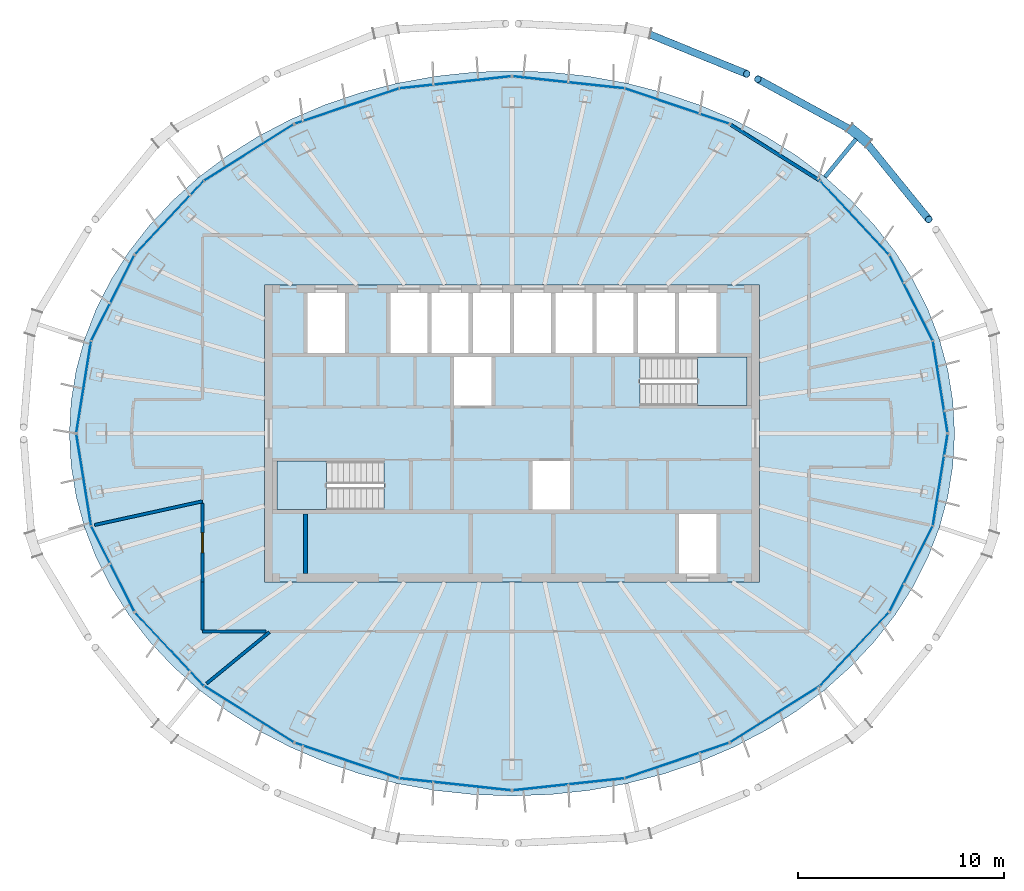
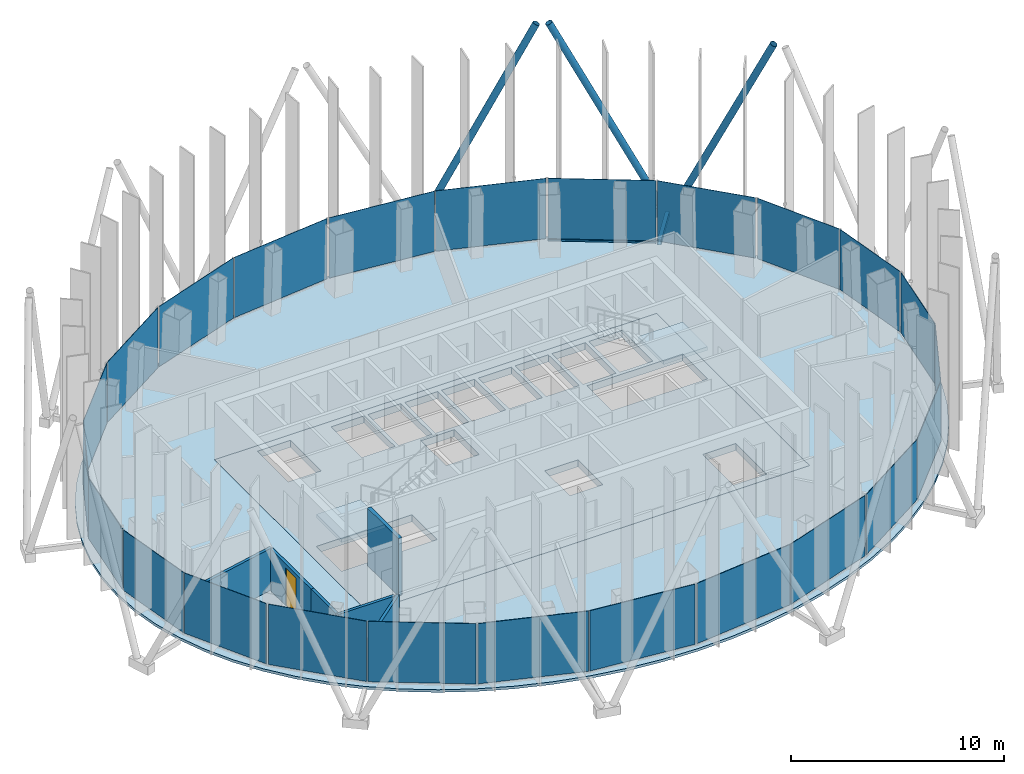
# One storey, part 8 of 19: 24 plates, 6 members, 6 walls, 4 slabs, 1 door, 1 opening, 14 elements without a shape of their own.
"""IFC4 building model written with IfcOpenShell, lengths in metres."""

from ifc_helpers import new_model, si_unit, direction, frame, frame_2d, origin, origin_2d, place, context, subcontext, project, spatial, polyline, rectangle, hollow_rectangle, hollow_circle, outline, extrude, material, layer, layer_set, material_profile, profile_set, type_object, element, fill, aggregate, save


model = new_model("IFC4")

# Units and contexts
model_context = context("Model", 3, precision=1e-05, world=origin(), true_north=direction((0.0, 1.0)))
body_context = subcontext(model_context, "Body", "Model", "MODEL_VIEW")
ifc_project = project(units=[si_unit("LENGTHUNIT", "METRE"), si_unit("AREAUNIT", "SQUARE_METRE"), si_unit("VOLUMEUNIT", "CUBIC_METRE"), si_unit("PLANEANGLEUNIT", "RADIAN"), si_unit("MASSUNIT", "GRAM", prefix="KILO")], contexts=[model_context])

# Site, building, storey
site_placement = place(None, origin())
site = spatial("IfcSite", under=ifc_project, at=site_placement, CompositionType="ELEMENT")
building_placement = place(site_placement, origin())
building = spatial("IfcBuilding", under=site, at=building_placement, Name="Siaravel Broadcast Tower", CompositionType="ELEMENT")
storey_placement = place(building_placement, frame((0.0, 0.0, 239.300048828125)))
storey = spatial("IfcBuildingStorey", under=building, at=storey_placement, Name="L58", CompositionType="ELEMENT", Elevation=239.300048828125)

# Curtain wall, member
ifc_material_1 = material(Name="Aluminium 6063-T6", Category="aluminium")
ifc_layer_1 = layer(ifc_material_1, 0.159912109375)
ifc_layer_set_1 = layer_set([ifc_layer_1], Name="Aluminium 6063-T6")
curtain_wall_type = type_object("IfcCurtainWallType", Name="Unitised curtain wall, zone 4", PredefinedType="NOTDEFINED", material=ifc_layer_set_1)
curtain_wall_1_placement = place(storey_placement, origin())
curtain_wall_1 = element("IfcCurtainWall", 1, at=curtain_wall_1_placement, inside=storey, type_object=curtain_wall_type, Name="L58 Unitised curtain wall, zone 4 02", PredefinedType="NOTDEFINED")
ifc_material_profile_1 = material_profile(ifc_material_1, rectangle(XDim=0.159912109375, YDim=0.090087890625, at=origin_2d()))
ifc_profile_set_1 = profile_set([ifc_material_profile_1], Name="Aluminium 6063-T6")
member_type_1 = type_object("IfcMemberType", Name="CW-Z4 transom", PredefinedType="USERDEFINED", material=ifc_profile_set_1)
member_1_placement = place(storey_placement, frame((14.905517578125, 12.255859375, 0.044921875), z_axis=(-0.84666808, 0.532121379, 0.0), x_axis=(-0.532121379, -0.84666808, 0.0)))
member_1 = element("IfcMember", 2, at=member_1_placement, type_object=member_type_1, Name="CW-Z4 transom 2", ObjectType="TRANSOM", PredefinedType="USERDEFINED", context=body_context, shape_type="SweptSolid", body=[
    extrude(rectangle(XDim=0.159912109375, YDim=0.090087890625, at=origin_2d()), origin(), (0.0, 0.0, 1.0), 5.0830078125),
])

# Members
ifc_material_2 = material(Name="Steel S460", Category="steel")
ifc_material_profile_2 = material_profile(ifc_material_2, hollow_circle(Radius=0.177734375, WallThickness=0.012451171875, at=origin_2d()))
ifc_profile_set_2 = profile_set([ifc_material_profile_2], Name="Steel S460")
member_type_2 = type_object("IfcMemberType", Name="Diagrid diagonal CHS 355.6x12.5", PredefinedType="BRACE", material=ifc_profile_set_2)
member_2_placement = place(storey_placement, frame((17.045166015625, 14.2490234375, 0.02001953125), z_axis=(0.267942774, -0.329605067, 0.905299492), x_axis=(0.775954218, 0.630789229, 0.0)))
element("IfcMember", 3, at=member_2_placement, inside=storey, type_object=member_type_2, Name="Diagrid diagonal R24 station 09C", PredefinedType="BRACE", context=body_context, shape_type="SweptSolid", body=[
    extrude(hollow_circle(Radius=0.177734375, WallThickness=0.012451171875, at=origin_2d()), origin(), (0.0, 0.0, 1.0), 11.77490234375),
])
member_3_placement = place(storey_placement, frame((16.587646484375, 14.623779296875, 0.02001953125), z_axis=(-0.392366041, 0.2136099, 0.89466178), x_axis=(-0.478148218, -0.878279159, 0.0)))
element("IfcMember", 4, at=member_3_placement, inside=storey, type_object=member_type_2, Name="Diagrid diagonal R24 station 09A", PredefinedType="BRACE", context=body_context, shape_type="SweptSolid", body=[
    extrude(hollow_circle(Radius=0.177734375, WallThickness=0.012451171875, at=origin_2d()), origin(), (0.0, 0.0, 1.0), 11.9150390625),
])
member_4_placement = place(storey_placement, frame((6.398193359375, 19.448974609375, 0.02001953125), z_axis=(0.417112386, -0.169805925, 0.892851167), x_axis=(0.377051682, 0.926192221, 0.0)))
element("IfcMember", 5, at=member_4_placement, inside=storey, type_object=member_type_2, Name="Diagrid diagonal R24 station 15C", PredefinedType="BRACE", context=body_context, shape_type="SweptSolid", body=[
    extrude(hollow_circle(Radius=0.177734375, WallThickness=0.012451171875, at=origin_2d()), origin(), (0.0, 0.0, 1.0), 11.939208984375),
])
ifc_material_profile_3 = material_profile(ifc_material_2, hollow_rectangle(XDim=0.5, YDim=0.5, WallThickness=0.031982421875, at=origin_2d()))
ifc_profile_set_3 = profile_set([ifc_material_profile_3], Name="Steel S460")
member_type_3 = type_object("IfcMemberType", Name="Diagrid node BOX 500x500x32", PredefinedType="USERDEFINED", material=ifc_profile_set_3)
member_5_placement = place(storey_placement, frame((17.275390625, 14.060302734375, -0.199951171875), z_axis=(-0.773489646, 0.633808936, 0.0), x_axis=(-0.633808936, -0.773489646, 0.0)))
element("IfcMember", 6, at=member_5_placement, inside=storey, type_object=member_type_3, Name="Diagrid node R24 station 09", ObjectType="DIAGRID NODE", PredefinedType="USERDEFINED", context=body_context, shape_type="SweptSolid", body=[
    extrude(hollow_rectangle(XDim=0.5, YDim=0.5, WallThickness=0.031982421875, at=origin_2d()), origin(), (0.0, 0.0, 1.0), 1.186767578125),
])
ifc_material_profile_4 = material_profile(ifc_material_2, hollow_rectangle(XDim=0.199951171875, YDim=0.300048828125, WallThickness=0.012451171875, at=origin_2d()))
ifc_profile_set_4 = profile_set([ifc_material_profile_4], Name="Steel S460")
member_type_4 = type_object("IfcMemberType", Name="Diagrid node arm RHS 300x200x12.5", PredefinedType="STRUT", material=ifc_profile_set_4)
member_6_placement = place(storey_placement, frame((15.1689453125, 12.425048828125, -0.199951171875), z_axis=(0.633673426, 0.773600665, 0.0), x_axis=(-0.773600665, 0.633673426, 0.0)))
element("IfcMember", 7, at=member_6_placement, inside=storey, type_object=member_type_4, Name="Node arm R24 station 09", PredefinedType="STRUT", context=body_context, shape_type="SweptSolid", body=[
    extrude(hollow_rectangle(XDim=0.199951171875, YDim=0.300048828125, WallThickness=0.012451171875, at=origin_2d()), origin(), (0.0, 0.0, 1.0), 2.3798828125),
])

# Curtain wall, plates
curtain_wall_2_placement = place(storey_placement, origin())
curtain_wall_2 = element("IfcCurtainWall", 8, at=curtain_wall_2_placement, inside=storey, type_object=curtain_wall_type, Name="L58 Unitised curtain wall, zone 4 01", PredefinedType="NOTDEFINED")
ifc_material_3 = material(Name="Tinted insulated glass", Category="glass")
ifc_layer_2 = layer(ifc_material_3, 0.02587890625)
ifc_layer_set_2 = layer_set([ifc_layer_2], Name="Tinted insulated glass")
plate_type = type_object("IfcPlateType", Name="CW-Z4 glass panel", PredefinedType="CURTAIN_PANEL", material=ifc_layer_set_2)
plate_1_placement = place(storey_placement, frame((20.75537109375, 2.254638671875, 0.090087890625), z_axis=(0.0, 0.0, 1.0), x_axis=(-0.158684735, 0.987329304, 0.0)))
plate_1 = element("IfcPlate", 9, at=plate_1_placement, type_object=plate_type, Name="CW-Z4 glass panel", PredefinedType="CURTAIN_PANEL", context=body_context, shape_type="SweptSolid", body=[
    extrude(rectangle(XDim=4.45703125, YDim=0.02587890625, at=origin_2d()), origin(), (0.0, 0.0, 1.0), 3.4599609375),
])
plate_2_placement = place(storey_placement, frame((19.347900390625, 6.557373046875, 0.090087890625), z_axis=(0.0, 0.0, 1.0), x_axis=(-0.451259268, 0.892392891, 0.0)))
plate_2 = element("IfcPlate", 10, at=plate_2_placement, type_object=plate_type, Name="CW-Z4 glass panel", PredefinedType="CURTAIN_PANEL", context=body_context, shape_type="SweptSolid", body=[
    extrude(rectangle(XDim=4.59619140625, YDim=0.02587890625, at=origin_2d()), origin(), (0.0, 0.0, 1.0), 3.4599609375),
])
aggregate(curtain_wall_2, [plate_1, plate_2])

# Plate
plate_3_placement = place(storey_placement, frame((16.59814453125, 10.459228515625, 0.090087890625), z_axis=(0.0, 0.0, 1.0), x_axis=(-0.683653738, 0.729806527, 0.0)))
plate_3 = element("IfcPlate", 11, at=plate_3_placement, type_object=plate_type, Name="CW-Z4 glass panel", PredefinedType="CURTAIN_PANEL", context=body_context, shape_type="SweptSolid", body=[
    extrude(rectangle(XDim=4.828125, YDim=0.02587890625, at=origin_2d()), origin(), (0.0, 0.0, 1.0), 3.4599609375),
])

plate_4_placement = place(storey_placement, frame((12.753662109375, 13.6083984375, 0.090087890625), z_axis=(0.0, 0.0, 1.0), x_axis=(-0.846649801, 0.532150463, 0.0)))
plate_4 = element("IfcPlate", 12, at=plate_4_placement, type_object=plate_type, Name="CW-Z4 glass panel", PredefinedType="CURTAIN_PANEL", context=body_context, shape_type="SweptSolid", body=[
    extrude(rectangle(XDim=5.083251953125, YDim=0.02587890625, at=origin_2d()), origin(), (0.0, 0.0, 1.0), 3.4599609375),
])

aggregate(curtain_wall_1, [plate_3, member_1, plate_4])

# Curtain wall, plates
curtain_wall_3_placement = place(storey_placement, origin())
curtain_wall_3 = element("IfcCurtainWall", 13, at=curtain_wall_3_placement, inside=storey, type_object=curtain_wall_type, Name="L58 Unitised curtain wall, zone 4 03", PredefinedType="NOTDEFINED")
plate_5_placement = place(storey_placement, frame((7.996337890625, 15.8583984375, 0.090087890625), z_axis=(0.0, 0.0, 1.0), x_axis=(-0.946976963, 0.321301466, 0.0)))
plate_5 = element("IfcPlate", 14, at=plate_5_placement, type_object=plate_type, Name="CW-Z4 glass panel", PredefinedType="CURTAIN_PANEL", context=body_context, shape_type="SweptSolid", body=[
    extrude(rectangle(XDim=5.29443359375, YDim=0.02587890625, at=origin_2d()), origin(), (0.0, 0.0, 1.0), 3.4599609375),
])
plate_6_placement = place(storey_placement, frame((2.745361328125, 17.0107421875, 0.090087890625), z_axis=(0.0, 0.0, 1.0), x_axis=(-0.994235559, 0.107217782, 0.0)))
plate_6 = element("IfcPlate", 15, at=plate_6_placement, type_object=plate_type, Name="CW-Z4 glass panel", PredefinedType="CURTAIN_PANEL", context=body_context, shape_type="SweptSolid", body=[
    extrude(rectangle(XDim=5.41259765625, YDim=0.02587890625, at=origin_2d()), origin(), (0.0, 0.0, 1.0), 3.4599609375),
])
aggregate(curtain_wall_3, [plate_5, plate_6])

curtain_wall_4_placement = place(storey_placement, origin())
curtain_wall_4 = element("IfcCurtainWall", 16, at=curtain_wall_4_placement, inside=storey, type_object=curtain_wall_type, Name="L58 Unitised curtain wall, zone 4 04", PredefinedType="NOTDEFINED")
plate_7_placement = place(storey_placement, frame((-2.745361328125, 17.0107421875, 0.090087890625), z_axis=(0.0, 0.0, 1.0), x_axis=(-0.994235559, -0.107217782, 0.0)))
plate_7 = element("IfcPlate", 17, at=plate_7_placement, type_object=plate_type, Name="CW-Z4 glass panel", PredefinedType="CURTAIN_PANEL", context=body_context, shape_type="SweptSolid", body=[
    extrude(rectangle(XDim=5.41259765625, YDim=0.02587890625, at=origin_2d()), origin(), (0.0, 0.0, 1.0), 3.4599609375),
])
plate_8_placement = place(storey_placement, frame((-7.996337890625, 15.8583984375, 0.090087890625), z_axis=(0.0, 0.0, 1.0), x_axis=(-0.946976963, -0.321301466, 0.0)))
plate_8 = element("IfcPlate", 18, at=plate_8_placement, type_object=plate_type, Name="CW-Z4 glass panel", PredefinedType="CURTAIN_PANEL", context=body_context, shape_type="SweptSolid", body=[
    extrude(rectangle(XDim=5.29443359375, YDim=0.02587890625, at=origin_2d()), origin(), (0.0, 0.0, 1.0), 3.4599609375),
])
aggregate(curtain_wall_4, [plate_7, plate_8])

curtain_wall_5_placement = place(storey_placement, origin())
curtain_wall_5 = element("IfcCurtainWall", 19, at=curtain_wall_5_placement, inside=storey, type_object=curtain_wall_type, Name="L58 Unitised curtain wall, zone 4 05", PredefinedType="NOTDEFINED")
plate_9_placement = place(storey_placement, frame((-12.753662109375, 13.6083984375, 0.090087890625), z_axis=(0.0, 0.0, 1.0), x_axis=(-0.846649801, -0.532150463, 0.0)))
plate_9 = element("IfcPlate", 20, at=plate_9_placement, type_object=plate_type, Name="CW-Z4 glass panel", PredefinedType="CURTAIN_PANEL", context=body_context, shape_type="SweptSolid", body=[
    extrude(rectangle(XDim=5.083251953125, YDim=0.02587890625, at=origin_2d()), origin(), (0.0, 0.0, 1.0), 3.4599609375),
])
plate_10_placement = place(storey_placement, frame((-16.59814453125, 10.459228515625, 0.090087890625), z_axis=(0.0, 0.0, 1.0), x_axis=(-0.683653738, -0.729806527, 0.0)))
plate_10 = element("IfcPlate", 21, at=plate_10_placement, type_object=plate_type, Name="CW-Z4 glass panel", PredefinedType="CURTAIN_PANEL", context=body_context, shape_type="SweptSolid", body=[
    extrude(rectangle(XDim=4.828125, YDim=0.02587890625, at=origin_2d()), origin(), (0.0, 0.0, 1.0), 3.4599609375),
])
aggregate(curtain_wall_5, [plate_9, plate_10])

curtain_wall_6_placement = place(storey_placement, origin())
curtain_wall_6 = element("IfcCurtainWall", 22, at=curtain_wall_6_placement, inside=storey, type_object=curtain_wall_type, Name="L58 Unitised curtain wall, zone 4 06", PredefinedType="NOTDEFINED")
plate_11_placement = place(storey_placement, frame((-19.347900390625, 6.557373046875, 0.090087890625), z_axis=(0.0, 0.0, 1.0), x_axis=(-0.451259268, -0.892392891, 0.0)))
plate_11 = element("IfcPlate", 23, at=plate_11_placement, type_object=plate_type, Name="CW-Z4 glass panel", PredefinedType="CURTAIN_PANEL", context=body_context, shape_type="SweptSolid", body=[
    extrude(rectangle(XDim=4.59619140625, YDim=0.02587890625, at=origin_2d()), origin(), (0.0, 0.0, 1.0), 3.4599609375),
])
plate_12_placement = place(storey_placement, frame((-20.75537109375, 2.254638671875, 0.090087890625), z_axis=(0.0, 0.0, 1.0), x_axis=(-0.158684735, -0.987329304, 0.0)))
plate_12 = element("IfcPlate", 24, at=plate_12_placement, type_object=plate_type, Name="CW-Z4 glass panel", PredefinedType="CURTAIN_PANEL", context=body_context, shape_type="SweptSolid", body=[
    extrude(rectangle(XDim=4.45703125, YDim=0.02587890625, at=origin_2d()), origin(), (0.0, 0.0, 1.0), 3.4599609375),
])
aggregate(curtain_wall_6, [plate_11, plate_12])

curtain_wall_7_placement = place(storey_placement, origin())
curtain_wall_7 = element("IfcCurtainWall", 25, at=curtain_wall_7_placement, inside=storey, type_object=curtain_wall_type, Name="L58 Unitised curtain wall, zone 4 07", PredefinedType="NOTDEFINED")
plate_13_placement = place(storey_placement, frame((-20.75537109375, -2.254638671875, 0.090087890625), z_axis=(0.0, 0.0, 1.0), x_axis=(0.158684735, -0.987329304, 0.0)))
plate_13 = element("IfcPlate", 26, at=plate_13_placement, type_object=plate_type, Name="CW-Z4 glass panel", PredefinedType="CURTAIN_PANEL", context=body_context, shape_type="SweptSolid", body=[
    extrude(rectangle(XDim=4.45703125, YDim=0.02587890625, at=origin_2d()), origin(), (0.0, 0.0, 1.0), 3.4599609375),
])
plate_14_placement = place(storey_placement, frame((-19.347900390625, -6.557373046875, 0.090087890625), z_axis=(0.0, 0.0, 1.0), x_axis=(0.451259268, -0.892392891, 0.0)))
plate_14 = element("IfcPlate", 27, at=plate_14_placement, type_object=plate_type, Name="CW-Z4 glass panel", PredefinedType="CURTAIN_PANEL", context=body_context, shape_type="SweptSolid", body=[
    extrude(rectangle(XDim=4.59619140625, YDim=0.02587890625, at=origin_2d()), origin(), (0.0, 0.0, 1.0), 3.4599609375),
])
aggregate(curtain_wall_7, [plate_13, plate_14])

curtain_wall_8_placement = place(storey_placement, origin())
curtain_wall_8 = element("IfcCurtainWall", 28, at=curtain_wall_8_placement, inside=storey, type_object=curtain_wall_type, Name="L58 Unitised curtain wall, zone 4 08", PredefinedType="NOTDEFINED")
plate_15_placement = place(storey_placement, frame((-16.59814453125, -10.459228515625, 0.090087890625), z_axis=(0.0, 0.0, 1.0), x_axis=(0.683653738, -0.729806527, 0.0)))
plate_15 = element("IfcPlate", 29, at=plate_15_placement, type_object=plate_type, Name="CW-Z4 glass panel", PredefinedType="CURTAIN_PANEL", context=body_context, shape_type="SweptSolid", body=[
    extrude(rectangle(XDim=4.828125, YDim=0.02587890625, at=origin_2d()), origin(), (0.0, 0.0, 1.0), 3.4599609375),
])
plate_16_placement = place(storey_placement, frame((-12.753662109375, -13.6083984375, 0.090087890625), z_axis=(0.0, 0.0, 1.0), x_axis=(0.846649801, -0.532150463, 0.0)))
plate_16 = element("IfcPlate", 30, at=plate_16_placement, type_object=plate_type, Name="CW-Z4 glass panel", PredefinedType="CURTAIN_PANEL", context=body_context, shape_type="SweptSolid", body=[
    extrude(rectangle(XDim=5.083251953125, YDim=0.02587890625, at=origin_2d()), origin(), (0.0, 0.0, 1.0), 3.4599609375),
])
aggregate(curtain_wall_8, [plate_15, plate_16])

curtain_wall_9_placement = place(storey_placement, origin())
curtain_wall_9 = element("IfcCurtainWall", 31, at=curtain_wall_9_placement, inside=storey, type_object=curtain_wall_type, Name="L58 Unitised curtain wall, zone 4 09", PredefinedType="NOTDEFINED")
plate_17_placement = place(storey_placement, frame((-7.996337890625, -15.8583984375, 0.090087890625), z_axis=(0.0, 0.0, 1.0), x_axis=(0.946976963, -0.321301466, 0.0)))
plate_17 = element("IfcPlate", 32, at=plate_17_placement, type_object=plate_type, Name="CW-Z4 glass panel", PredefinedType="CURTAIN_PANEL", context=body_context, shape_type="SweptSolid", body=[
    extrude(rectangle(XDim=5.29443359375, YDim=0.02587890625, at=origin_2d()), origin(), (0.0, 0.0, 1.0), 3.4599609375),
])
plate_18_placement = place(storey_placement, frame((-2.745361328125, -17.0107421875, 0.090087890625), z_axis=(0.0, 0.0, 1.0), x_axis=(0.994235559, -0.107217782, 0.0)))
plate_18 = element("IfcPlate", 33, at=plate_18_placement, type_object=plate_type, Name="CW-Z4 glass panel", PredefinedType="CURTAIN_PANEL", context=body_context, shape_type="SweptSolid", body=[
    extrude(rectangle(XDim=5.41259765625, YDim=0.02587890625, at=origin_2d()), origin(), (0.0, 0.0, 1.0), 3.4599609375),
])
aggregate(curtain_wall_9, [plate_17, plate_18])

curtain_wall_10_placement = place(storey_placement, origin())
curtain_wall_10 = element("IfcCurtainWall", 34, at=curtain_wall_10_placement, inside=storey, type_object=curtain_wall_type, Name="L58 Unitised curtain wall, zone 4 10", PredefinedType="NOTDEFINED")
plate_19_placement = place(storey_placement, frame((2.745361328125, -17.0107421875, 0.090087890625), z_axis=(0.0, 0.0, 1.0), x_axis=(0.994235559, 0.107217782, 0.0)))
plate_19 = element("IfcPlate", 35, at=plate_19_placement, type_object=plate_type, Name="CW-Z4 glass panel", PredefinedType="CURTAIN_PANEL", context=body_context, shape_type="SweptSolid", body=[
    extrude(rectangle(XDim=5.41259765625, YDim=0.02587890625, at=origin_2d()), origin(), (0.0, 0.0, 1.0), 3.4599609375),
])
plate_20_placement = place(storey_placement, frame((7.996337890625, -15.8583984375, 0.090087890625), z_axis=(0.0, 0.0, 1.0), x_axis=(0.946976963, 0.321301466, 0.0)))
plate_20 = element("IfcPlate", 36, at=plate_20_placement, type_object=plate_type, Name="CW-Z4 glass panel", PredefinedType="CURTAIN_PANEL", context=body_context, shape_type="SweptSolid", body=[
    extrude(rectangle(XDim=5.29443359375, YDim=0.02587890625, at=origin_2d()), origin(), (0.0, 0.0, 1.0), 3.4599609375),
])
aggregate(curtain_wall_10, [plate_19, plate_20])

curtain_wall_11_placement = place(storey_placement, origin())
curtain_wall_11 = element("IfcCurtainWall", 37, at=curtain_wall_11_placement, inside=storey, type_object=curtain_wall_type, Name="L58 Unitised curtain wall, zone 4 11", PredefinedType="NOTDEFINED")
plate_21_placement = place(storey_placement, frame((12.753662109375, -13.6083984375, 0.090087890625), z_axis=(0.0, 0.0, 1.0), x_axis=(0.846649801, 0.532150463, 0.0)))
plate_21 = element("IfcPlate", 38, at=plate_21_placement, type_object=plate_type, Name="CW-Z4 glass panel", PredefinedType="CURTAIN_PANEL", context=body_context, shape_type="SweptSolid", body=[
    extrude(rectangle(XDim=5.083251953125, YDim=0.02587890625, at=origin_2d()), origin(), (0.0, 0.0, 1.0), 3.4599609375),
])
plate_22_placement = place(storey_placement, frame((16.59814453125, -10.459228515625, 0.090087890625), z_axis=(0.0, 0.0, 1.0), x_axis=(0.683653738, 0.729806527, 0.0)))
plate_22 = element("IfcPlate", 39, at=plate_22_placement, type_object=plate_type, Name="CW-Z4 glass panel", PredefinedType="CURTAIN_PANEL", context=body_context, shape_type="SweptSolid", body=[
    extrude(rectangle(XDim=4.828125, YDim=0.02587890625, at=origin_2d()), origin(), (0.0, 0.0, 1.0), 3.4599609375),
])
aggregate(curtain_wall_11, [plate_21, plate_22])

curtain_wall_12_placement = place(storey_placement, origin())
curtain_wall_12 = element("IfcCurtainWall", 40, at=curtain_wall_12_placement, inside=storey, type_object=curtain_wall_type, Name="L58 Unitised curtain wall, zone 4 12", PredefinedType="NOTDEFINED")
plate_23_placement = place(storey_placement, frame((19.347900390625, -6.557373046875, 0.090087890625), z_axis=(0.0, 0.0, 1.0), x_axis=(0.451259268, 0.892392891, 0.0)))
plate_23 = element("IfcPlate", 41, at=plate_23_placement, type_object=plate_type, Name="CW-Z4 glass panel", PredefinedType="CURTAIN_PANEL", context=body_context, shape_type="SweptSolid", body=[
    extrude(rectangle(XDim=4.59619140625, YDim=0.02587890625, at=origin_2d()), origin(), (0.0, 0.0, 1.0), 3.4599609375),
])
plate_24_placement = place(storey_placement, frame((20.75537109375, -2.254638671875, 0.090087890625), z_axis=(0.0, 0.0, 1.0), x_axis=(0.158684735, 0.987329304, 0.0)))
plate_24 = element("IfcPlate", 42, at=plate_24_placement, type_object=plate_type, Name="CW-Z4 glass panel", PredefinedType="CURTAIN_PANEL", context=body_context, shape_type="SweptSolid", body=[
    extrude(rectangle(XDim=4.45703125, YDim=0.02587890625, at=origin_2d()), origin(), (0.0, 0.0, 1.0), 3.4599609375),
])
aggregate(curtain_wall_12, [plate_23, plate_24])

# Slabs
ifc_material_4 = material(Name="Concrete C40/50", Category="concrete")
ifc_layer_3 = layer(ifc_material_4, 0.39990234375)
ifc_layer_set_3 = layer_set([ifc_layer_3], Name="Concrete C40/50")
slab_type_1 = type_object("IfcSlabType", Name="Core floor slab 400", PredefinedType="FLOOR", material=ifc_layer_set_3)
slab_1_placement = place(storey_placement, frame((0.0, 0.0, -0.400146484375)))
element("IfcSlab", 43, at=slab_1_placement, inside=storey, type_object=slab_type_1, Name="L58 core floor", PredefinedType="FLOOR", context=body_context, shape_type="SweptSolid", body=[
    extrude(outline(polyline([(-12.0, -7.199951171875), (-12.0, 7.199951171875), (12.0, 7.199951171875), (12.0, -7.199951171875), (-12.0, -7.199951171875)]), holes=[polyline([(11.3994140625, 1.3505859375), (11.3994140625, 3.699462890625), (6.200439453125, 3.699462890625), (6.200439453125, 1.3505859375), (11.3994140625, 1.3505859375)]), polyline([(8.10009765625, -3.89990234375), (8.10009765625, -6.800048828125), (9.89990234375, -6.800048828125), (9.89990234375, -3.89990234375), (8.10009765625, -3.89990234375)]), polyline([(9.89990234375, 6.800048828125), (8.10009765625, 6.800048828125), (8.10009765625, 3.89990234375), (9.89990234375, 3.89990234375), (9.89990234375, 6.800048828125)]), polyline([(7.89990234375, 6.800048828125), (6.10009765625, 6.800048828125), (6.10009765625, 3.89990234375), (7.89990234375, 3.89990234375), (7.89990234375, 6.800048828125)]), polyline([(5.89990234375, 6.800048828125), (4.10009765625, 6.800048828125), (4.10009765625, 3.89990234375), (5.89990234375, 3.89990234375), (5.89990234375, 6.800048828125)]), polyline([(3.89990234375, 6.800048828125), (2.10009765625, 6.800048828125), (2.10009765625, 3.89990234375), (3.89990234375, 3.89990234375), (3.89990234375, 6.800048828125)]), polyline([(2.800048828125, -1.35009765625), (1.0, -1.35009765625), (1.0, -3.699951171875), (2.800048828125, -3.699951171875), (2.800048828125, -1.35009765625)]), polyline([(1.89990234375, 6.800048828125), (0.10009765625, 6.800048828125), (0.10009765625, 3.89990234375), (1.89990234375, 3.89990234375), (1.89990234375, 6.800048828125)]), polyline([(-0.10009765625, 6.800048828125), (-1.89990234375, 6.800048828125), (-1.89990234375, 3.89990234375), (-0.10009765625, 3.89990234375), (-0.10009765625, 6.800048828125)]), polyline([(-1.0, 3.699951171875), (-2.800048828125, 3.699951171875), (-2.800048828125, 1.35009765625), (-1.0, 1.35009765625), (-1.0, 3.699951171875)]), polyline([(-2.10009765625, 6.800048828125), (-3.89990234375, 6.800048828125), (-3.89990234375, 3.89990234375), (-2.10009765625, 3.89990234375), (-2.10009765625, 6.800048828125)]), polyline([(-4.10009765625, 6.800048828125), (-5.89990234375, 6.800048828125), (-5.89990234375, 3.89990234375), (-4.10009765625, 3.89990234375), (-4.10009765625, 6.800048828125)]), polyline([(-11.3994140625, -3.699462890625), (-6.200439453125, -3.699462890625), (-6.200439453125, -1.3505859375), (-11.3994140625, -1.3505859375), (-11.3994140625, -3.699462890625)]), polyline([(-8.10009765625, 6.800048828125), (-9.89990234375, 6.800048828125), (-9.89990234375, 3.89990234375), (-8.10009765625, 3.89990234375), (-8.10009765625, 6.800048828125)])]), origin(), (0.0, 0.0, 1.0), 0.400146484375),
])
ifc_layer_4 = layer(ifc_material_4, 0.14990234375)
ifc_layer_set_4 = layer_set([ifc_layer_4], Name="Concrete C40/50")
slab_type_2 = type_object("IfcSlabType", Name="SLB-FLOOR-150", PredefinedType="FLOOR", material=ifc_layer_set_4)
slab_2_placement = place(storey_placement, frame((0.0, 0.0, -0.150146484375)))
element("IfcSlab", 44, at=slab_2_placement, inside=storey, type_object=slab_type_2, Name="Floor slab", PredefinedType="FLOOR", context=body_context, shape_type="SweptSolid", body=[
    extrude(outline(polyline([(21.451904296875, 0.0), (21.370361328125, 1.531494140625), (21.126220703125, 3.05126953125), (20.720947265625, 4.5478515625), (20.158203125, 6.009765625), (19.442138671875, 7.426025390625), (18.577880859375, 8.785888671875), (17.572509765625, 10.07861328125), (16.43310546875, 11.294921875), (15.1689453125, 12.425048828125), (13.7890625, 13.460693359375), (12.304443359375, 14.393798828125), (10.72607421875, 15.217529296875), (9.06591796875, 15.92529296875), (7.3369140625, 16.511962890625), (5.55224609375, 16.972900390625), (3.72509765625, 17.3046875), (1.86962890625, 17.504638671875), (0.0, 17.571533203125), (-1.86962890625, 17.504638671875), (-3.72509765625, 17.3046875), (-5.55224609375, 16.972900390625), (-7.3369140625, 16.511962890625), (-9.06591796875, 15.92529296875), (-10.72607421875, 15.217529296875), (-12.304443359375, 14.393798828125), (-13.7890625, 13.460693359375), (-15.1689453125, 12.425048828125), (-16.43310546875, 11.294921875), (-17.572509765625, 10.07861328125), (-18.577880859375, 8.785888671875), (-19.442138671875, 7.426025390625), (-20.158203125, 6.009765625), (-20.720947265625, 4.5478515625), (-21.126220703125, 3.05126953125), (-21.370361328125, 1.531494140625), (-21.451904296875, 0.0), (-21.370361328125, -1.531494140625), (-21.126220703125, -3.05126953125), (-20.720947265625, -4.5478515625), (-20.158203125, -6.009765625), (-19.442138671875, -7.426025390625), (-18.577880859375, -8.785888671875), (-17.572509765625, -10.07861328125), (-16.43310546875, -11.294921875), (-15.1689453125, -12.425048828125), (-13.7890625, -13.460693359375), (-12.304443359375, -14.393798828125), (-10.72607421875, -15.217529296875), (-9.06591796875, -15.92529296875), (-7.3369140625, -16.511962890625), (-5.55224609375, -16.972900390625), (-3.72509765625, -17.3046875), (-1.86962890625, -17.504638671875), (0.0, -17.571533203125), (1.86962890625, -17.504638671875), (3.72509765625, -17.3046875), (5.55224609375, -16.972900390625), (7.3369140625, -16.511962890625), (9.06591796875, -15.92529296875), (10.72607421875, -15.217529296875), (12.304443359375, -14.393798828125), (13.7890625, -13.460693359375), (15.1689453125, -12.425048828125), (16.43310546875, -11.294921875), (17.572509765625, -10.07861328125), (18.577880859375, -8.785888671875), (19.442138671875, -7.426025390625), (20.158203125, -6.009765625), (20.720947265625, -4.5478515625), (21.126220703125, -3.05126953125), (21.370361328125, -1.531494140625), (21.451904296875, 0.0)]), holes=[polyline([(-12.0, 7.199951171875), (12.0, 7.199951171875), (12.0, -7.199951171875), (-12.0, -7.199951171875), (-12.0, 7.199951171875)])]), origin(), (0.0, 0.0, 1.0), 0.150146484375),
])

# Stair, slab
stair_type = type_object("IfcStairType", Name="Core exit stair", PredefinedType="HALF_TURN_STAIR", material=ifc_material_4)
stair_1_placement = place(storey_placement, origin())
stair_1 = element("IfcStair", 45, at=stair_1_placement, inside=storey, type_object=stair_type, Name="L58 Exit stair ST-1", PredefinedType="HALF_TURN_STAIR")
ifc_layer_5 = layer(ifc_material_4, 0.199951171875)
ifc_layer_set_5 = layer_set([ifc_layer_5], Name="Concrete C40/50")
slab_type_3 = type_object("IfcSlabType", Name="Stair landing", PredefinedType="LANDING", material=ifc_layer_set_5)
slab_3_placement = place(storey_placement, frame((0.0, 0.0, 1.64990234375)))
slab_3 = element("IfcSlab", 46, at=slab_3_placement, type_object=slab_type_3, Name="ST-1 landing 1", PredefinedType="LANDING", context=body_context, shape_type="SweptSolid", body=[
    extrude(outline(polyline([(-9.0, -1.35009765625), (-11.39990234375, -1.35009765625), (-11.39990234375, -3.699951171875), (-9.0, -3.699951171875), (-9.0, -1.35009765625)])), origin(), (0.0, 0.0, 1.0), 0.199951171875),
])
aggregate(stair_1, [slab_3])

stair_2_placement = place(storey_placement, origin())
stair_2 = element("IfcStair", 47, at=stair_2_placement, inside=storey, type_object=stair_type, Name="L58 Exit stair ST-2", PredefinedType="HALF_TURN_STAIR")
slab_4_placement = place(storey_placement, frame((0.0, 0.0, 1.64990234375)))
slab_4 = element("IfcSlab", 48, at=slab_4_placement, type_object=slab_type_3, Name="ST-2 landing 1", PredefinedType="LANDING", context=body_context, shape_type="SweptSolid", body=[
    extrude(outline(polyline([(9.0, 1.35009765625), (11.39990234375, 1.35009765625), (11.39990234375, 3.699951171875), (9.0, 3.699951171875), (9.0, 1.35009765625)])), origin(), (0.0, 0.0, 1.0), 0.199951171875),
])
aggregate(stair_2, [slab_4])

# Wall, opening, door
ifc_material_5 = material(Name="Gypsum board partition", Category="gypsum")
ifc_layer_6 = layer(ifc_material_5, 0.14990234375)
ifc_layer_set_6 = layer_set([ifc_layer_6], Name="Gypsum board partition")
wall_type_1 = type_object("IfcWallType", Name="Corridor wall 150", PredefinedType="PARTITIONING", material=ifc_layer_set_6)
wall_1_placement = place(storey_placement, frame((-15.0, -3.387451171875, 0.0), z_axis=(0.0, 0.0, 1.0), x_axis=(0.0, -1.0, 0.0)))
wall_1 = element("IfcWall", 49, at=wall_1_placement, inside=storey, type_object=wall_type_1, Name="L58 partition 19", PredefinedType="PARTITIONING", context=body_context, shape_type="SweptSolid", body=[
    extrude(rectangle(XDim=3.824462890625, YDim=0.14990234375, at=frame_2d((1.912109375, 0.0))), origin(), (0.0, 0.0, 1.0), 2.39990234375),
])
opening_placement = place(wall_1_placement, frame((1.437255859375, 0.0, 0.0)))
opening = element("IfcOpeningElement", 50, at=opening_placement, cuts=wall_1, Name="Opening L58-002", PredefinedType="OPENING", context=body_context, shape_type="SweptSolid", body=[
    extrude(rectangle(XDim=0.949951171875, YDim=2.14990234375, at=frame_2d((0.47509765625, 1.074951171875))), frame((0.0, 0.0849609375, 0.0), z_axis=(0.0, -1.0, 0.0), x_axis=(1.0, 0.0, 0.0)), (0.0, 0.0, 1.0), 0.169921875),
])
ifc_material_6 = material(Name="Timber veneer", Category="wood")
door_type = type_object("IfcDoorType", Name="Office door 950", OperationType="SINGLE_SWING_LEFT", PredefinedType="DOOR", material=ifc_material_6)
door_placement = place(opening_placement, origin())
door = element("IfcDoor", 51, at=door_placement, inside=storey, type_object=door_type, Name="L58 door to Reception", OperationType="SINGLE_SWING_RIGHT", OverallHeight=2.14990234375, OverallWidth=0.949951171875, PredefinedType="DOOR", context=body_context, shape_type="SweptSolid", body=[
    extrude(rectangle(XDim=0.949951171875, YDim=2.14990234375, at=frame_2d((0.47509765625, 1.074951171875))), frame((0.0, 0.02490234375, 0.0), z_axis=(0.0, -1.0, 0.0), x_axis=(1.0, 0.0, 0.0)), (0.0, 0.0, 1.0), 0.050048828125),
])
fill(opening, door)

# Walls
wall_2_placement = place(storey_placement, frame((-15.0, -9.60009765625, 0.0), z_axis=(0.0, 0.0, 1.0), x_axis=(1.0, 0.0, 0.0)))
element("IfcWall", 52, at=wall_2_placement, inside=storey, type_object=wall_type_1, Name="L58 partition 24", PredefinedType="PARTITIONING", context=body_context, shape_type="SweptSolid", body=[
    extrude(rectangle(XDim=3.068115234375, YDim=0.14990234375, at=frame_2d((1.5341796875, 0.0))), origin(), (0.0, 0.0, 1.0), 2.39990234375),
])
wall_3_placement = place(storey_placement, frame((-15.0, -7.212890625, 0.0), z_axis=(0.0, 0.0, 1.0), x_axis=(0.0, -1.0, 0.0)))
element("IfcWall", 53, at=wall_3_placement, inside=storey, type_object=wall_type_1, Name="L58 partition 25", PredefinedType="PARTITIONING", context=body_context, shape_type="SweptSolid", body=[
    extrude(rectangle(XDim=2.31005859375, YDim=0.14990234375, at=frame_2d((1.155029296875, 0.0))), origin(), (0.0, 0.0, 1.0), 2.39990234375),
])
ifc_layer_7 = layer(ifc_material_5, 0.14990234375)
ifc_layer_set_7 = layer_set([ifc_layer_7], Name="Gypsum board partition")
wall_type_2 = type_object("IfcWallType", Name="Room partition 150", PredefinedType="PARTITIONING", material=ifc_layer_set_7)
wall_4_placement = place(storey_placement, frame((-20.2314453125, -4.4404296875, 0.0), z_axis=(0.0, 0.0, 1.0), x_axis=(0.976751095, 0.214376535, 0.0)))
element("IfcWall", 54, at=wall_4_placement, inside=storey, type_object=wall_type_2, Name="L58 partition 13", PredefinedType="PARTITIONING", context=body_context, shape_type="SweptSolid", body=[
    extrude(rectangle(XDim=5.35595703125, YDim=0.14990234375, at=frame_2d((2.677978515625, 0.0))), origin(), (0.0, 0.0, 1.0), 2.39990234375),
])
wall_5_placement = place(storey_placement, frame((-14.801513671875, -12.124267578125, 0.0), z_axis=(0.0, 0.0, 1.0), x_axis=(0.773581114, 0.633697293, 0.0)))
element("IfcWall", 55, at=wall_5_placement, inside=storey, type_object=wall_type_2, Name="L58 partition 18", PredefinedType="PARTITIONING", context=body_context, shape_type="SweptSolid", body=[
    extrude(rectangle(XDim=3.933837890625, YDim=0.14990234375, at=frame_2d((1.966796875, 0.0))), origin(), (0.0, 0.0, 1.0), 2.39990234375),
])
ifc_material_7 = material(Name="Concrete C60/75", Category="concrete")
ifc_layer_8 = layer(ifc_material_7, 0.199951171875)
ifc_layer_set_8 = layer_set([ifc_layer_8], Name="Concrete C60/75")
wall_type_3 = type_object("IfcWallType", Name="Shaft wall 200", PredefinedType="SHEAR", material=ifc_layer_set_8)
wall_6_placement = place(storey_placement, frame((-10.0, -6.800048828125, 0.0), z_axis=(0.0, 0.0, 1.0), x_axis=(0.0, 1.0, 0.0)))
element("IfcWall", 56, at=wall_6_placement, inside=storey, type_object=wall_type_3, Name="L58 core wall SWS0", PredefinedType="SHEAR", context=body_context, shape_type="SweptSolid", body=[
    extrude(rectangle(XDim=2.900146484375, YDim=0.199951171875, at=frame_2d((1.4501953125, 0.0))), origin(), (0.0, 0.0, 1.0), 3.300048828125),
])

save(model, "model.ifc")
